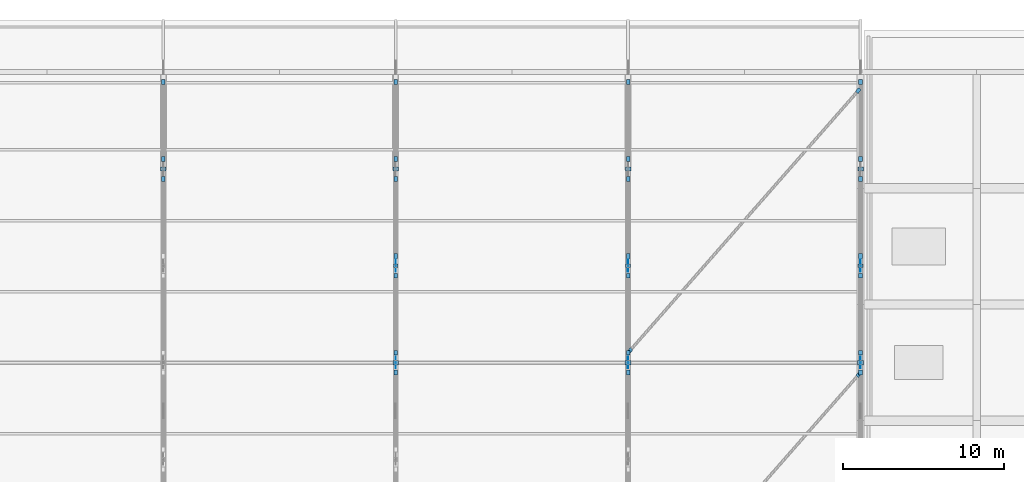
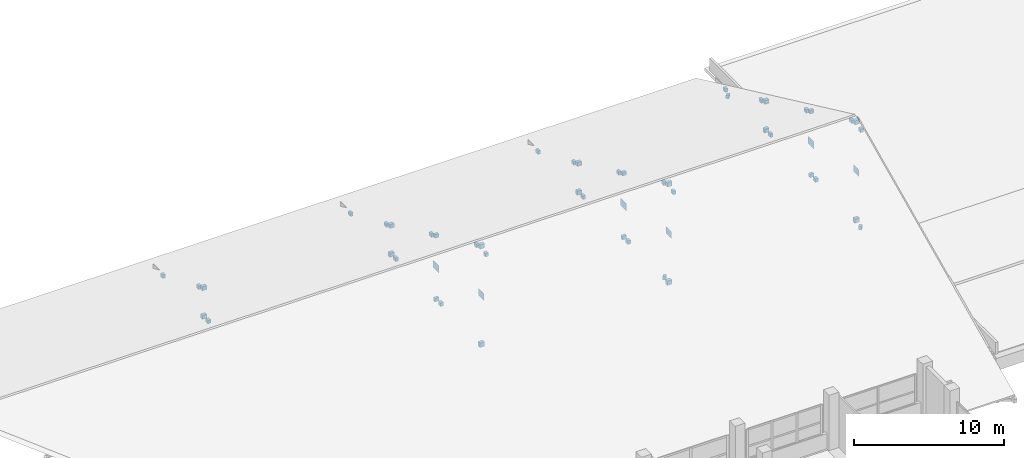
# One storey, part 125 of 141: 53 plates, 4 elements without a shape of their own.
"""IFC4 building model written with IfcOpenShell, lengths in metres."""

from ifc_helpers import new_model, si_unit, direction, frame, origin, origin_2d, place, context, subcontext, project, spatial, rectangle, extrude, material, layer, layer_set, type_object, element, aggregate, save


model = new_model("IFC4")

# Units and contexts
model_context = context("Model", 3, precision=1e-05, world=origin(), true_north=direction((0.0, 1.0)))
body_context = subcontext(model_context, "Body", "Model", "MODEL_VIEW")
ifc_project = project(units=[si_unit("LENGTHUNIT", "METRE"), si_unit("AREAUNIT", "SQUARE_METRE"), si_unit("VOLUMEUNIT", "CUBIC_METRE"), si_unit("PLANEANGLEUNIT", "RADIAN"), si_unit("MASSUNIT", "GRAM", prefix="KILO")], contexts=[model_context])

# Site, building, storey
site_placement = place(None, origin())
site = spatial("IfcSite", under=ifc_project, at=site_placement, CompositionType="ELEMENT")
building_placement = place(site_placement, origin())
building = spatial("IfcBuilding", under=site, at=building_placement, Name="Seraya Terrace Polytechnic", CompositionType="ELEMENT")
storey_placement = place(building_placement, frame((0.0, 0.0, 14.39990234375)))
storey = spatial("IfcBuildingStorey", under=building, at=storey_placement, Name="L03", CompositionType="ELEMENT", Elevation=14.39990234375)

# Assembly, plates
ifc_material = material(Name="Steel S355J2", Category="steel")
element_assembly_type = type_object("IfcElementAssemblyType", Name="TR-A1", PredefinedType="TRUSS", material=ifc_material)
assembly_1_placement = place(storey_placement, origin())
assembly_1 = element("IfcElementAssembly", 1, at=assembly_1_placement, inside=storey, type_object=element_assembly_type, Name="Pitched steel roof truss TR-06", AssemblyPlace="SITE", PredefinedType="TRUSS")
ifc_layer_1 = layer(ifc_material, 0.340087890625, Name="EP-01")
ifc_layer_set_1 = layer_set([ifc_layer_1], Name="Steel S355J2")
plate_type_1 = type_object("IfcPlateType", Name="EP-01", PredefinedType="USERDEFINED", material=ifc_layer_set_1)
plate_1_placement = place(storey_placement, frame((86.39990234375, 97.199951171875, 0.10302734375), z_axis=(0.0, 0.0, 1.0), x_axis=(1.0, 0.0, 0.0)))
plate_1 = element("IfcPlate", 2, at=plate_1_placement, type_object=plate_type_1, Name="Hollow end-cap plate TR-06-V4 start", ObjectType="FLANGE_PLATE", PredefinedType="USERDEFINED", context=body_context, shape_type="SweptSolid", body=[
    extrude(rectangle(XDim=0.360107421875, YDim=0.280029296875, at=origin_2d()), origin(), (0.0, 0.0, 1.0), 0.340087890625),
])
plate_2_placement = place(storey_placement, frame((86.39990234375, 97.199951171875, 8.08154296875), z_axis=(0.0, 0.0, 1.0), x_axis=(1.0, 0.0, 0.0)))
plate_2 = element("IfcPlate", 3, at=plate_2_placement, type_object=plate_type_1, Name="Hollow end-cap plate TR-06-V4 end", ObjectType="FLANGE_PLATE", PredefinedType="USERDEFINED", context=body_context, shape_type="SweptSolid", body=[
    extrude(rectangle(XDim=0.360107421875, YDim=0.280029296875, at=origin_2d()), origin(), (0.0, 0.0, 1.0), 0.340087890625),
])

assembly_2_placement = place(storey_placement, origin())
assembly_2 = element("IfcElementAssembly", 4, at=assembly_2_placement, inside=storey, type_object=element_assembly_type, Name="Pitched steel roof truss TR-07", AssemblyPlace="SITE", PredefinedType="TRUSS")
plate_3_placement = place(storey_placement, frame((100.800048828125, 97.199951171875, 0.10302734375), z_axis=(0.0, 0.0, 1.0), x_axis=(1.0, 0.0, 0.0)))
plate_3 = element("IfcPlate", 5, at=plate_3_placement, type_object=plate_type_1, Name="Hollow end-cap plate TR-07-V4 start", ObjectType="FLANGE_PLATE", PredefinedType="USERDEFINED", context=body_context, shape_type="SweptSolid", body=[
    extrude(rectangle(XDim=0.360107421875, YDim=0.280029296875, at=origin_2d()), origin(), (0.0, 0.0, 1.0), 0.340087890625),
])
plate_4_placement = place(storey_placement, frame((100.800048828125, 97.199951171875, 8.08154296875), z_axis=(0.0, 0.0, 1.0), x_axis=(1.0, 0.0, 0.0)))
plate_4 = element("IfcPlate", 6, at=plate_4_placement, type_object=plate_type_1, Name="Hollow end-cap plate TR-07-V4 end", ObjectType="FLANGE_PLATE", PredefinedType="USERDEFINED", context=body_context, shape_type="SweptSolid", body=[
    extrude(rectangle(XDim=0.360107421875, YDim=0.280029296875, at=origin_2d()), origin(), (0.0, 0.0, 1.0), 0.340087890625),
])

assembly_3_placement = place(storey_placement, origin())
assembly_3 = element("IfcElementAssembly", 7, at=assembly_3_placement, inside=storey, type_object=element_assembly_type, Name="Pitched steel roof truss TR-08", AssemblyPlace="SITE", PredefinedType="TRUSS")
plate_5_placement = place(storey_placement, frame((115.199951171875, 97.199951171875, 0.10302734375), z_axis=(0.0, 0.0, 1.0), x_axis=(1.0, 0.0, 0.0)))
plate_5 = element("IfcPlate", 8, at=plate_5_placement, type_object=plate_type_1, Name="Hollow end-cap plate TR-08-V4 start", ObjectType="FLANGE_PLATE", PredefinedType="USERDEFINED", context=body_context, shape_type="SweptSolid", body=[
    extrude(rectangle(XDim=0.360107421875, YDim=0.280029296875, at=origin_2d()), origin(), (0.0, 0.0, 1.0), 0.340087890625),
])
plate_6_placement = place(storey_placement, frame((115.199951171875, 97.199951171875, 8.08154296875), z_axis=(0.0, 0.0, 1.0), x_axis=(1.0, 0.0, 0.0)))
plate_6 = element("IfcPlate", 9, at=plate_6_placement, type_object=plate_type_1, Name="Hollow end-cap plate TR-08-V4 end", ObjectType="FLANGE_PLATE", PredefinedType="USERDEFINED", context=body_context, shape_type="SweptSolid", body=[
    extrude(rectangle(XDim=0.360107421875, YDim=0.280029296875, at=origin_2d()), origin(), (0.0, 0.0, 1.0), 0.340087890625),
])

assembly_4_placement = place(storey_placement, origin())
assembly_4 = element("IfcElementAssembly", 10, at=assembly_4_placement, inside=storey, type_object=element_assembly_type, Name="Pitched steel roof truss TR-05", AssemblyPlace="SITE", PredefinedType="TRUSS")
ifc_layer_2 = layer(ifc_material, 0.320068359375, Name="EP-02")
ifc_layer_set_2 = layer_set([ifc_layer_2], Name="Steel S355J2")
plate_type_2 = type_object("IfcPlateType", Name="EP-02", PredefinedType="USERDEFINED", material=ifc_layer_set_2)
plate_7_placement = place(storey_placement, frame((72.0, 109.199951171875, 0.138671875), z_axis=(0.0, 0.0, 1.0), x_axis=(1.0, 0.0, 0.0)))
plate_7 = element("IfcPlate", 11, at=plate_7_placement, type_object=plate_type_2, Name="Hollow end-cap plate TR-05-V6 start", ObjectType="FLANGE_PLATE", PredefinedType="USERDEFINED", context=body_context, shape_type="SweptSolid", body=[
    extrude(rectangle(XDim=0.340087890625, YDim=0.260009765625, at=origin_2d()), origin(), (0.0, 0.0, 1.0), 0.320068359375),
])
plate_8_placement = place(storey_placement, frame((72.0, 109.199951171875, 2.4658203125), z_axis=(0.0, 0.0, 1.0), x_axis=(1.0, 0.0, 0.0)))
plate_8 = element("IfcPlate", 12, at=plate_8_placement, type_object=plate_type_2, Name="Hollow end-cap plate TR-05-V6 end", ObjectType="FLANGE_PLATE", PredefinedType="USERDEFINED", context=body_context, shape_type="SweptSolid", body=[
    extrude(rectangle(XDim=0.340087890625, YDim=0.260009765625, at=origin_2d()), origin(), (0.0, 0.0, 1.0), 0.320068359375),
])

# Plate
plate_9_placement = place(storey_placement, frame((86.39990234375, 109.199951171875, 0.138671875), z_axis=(0.0, 0.0, 1.0), x_axis=(1.0, 0.0, 0.0)))
plate_9 = element("IfcPlate", 13, at=plate_9_placement, type_object=plate_type_2, Name="Hollow end-cap plate TR-06-V6 start", ObjectType="FLANGE_PLATE", PredefinedType="USERDEFINED", context=body_context, shape_type="SweptSolid", body=[
    extrude(rectangle(XDim=0.340087890625, YDim=0.260009765625, at=origin_2d()), origin(), (0.0, 0.0, 1.0), 0.320068359375),
])

plate_10_placement = place(storey_placement, frame((86.39990234375, 109.199951171875, 2.4658203125), z_axis=(0.0, 0.0, 1.0), x_axis=(1.0, 0.0, 0.0)))
plate_10 = element("IfcPlate", 14, at=plate_10_placement, type_object=plate_type_2, Name="Hollow end-cap plate TR-06-V6 end", ObjectType="FLANGE_PLATE", PredefinedType="USERDEFINED", context=body_context, shape_type="SweptSolid", body=[
    extrude(rectangle(XDim=0.340087890625, YDim=0.260009765625, at=origin_2d()), origin(), (0.0, 0.0, 1.0), 0.320068359375),
])

plate_11_placement = place(storey_placement, frame((100.800048828125, 109.199951171875, 0.138671875), z_axis=(0.0, 0.0, 1.0), x_axis=(1.0, 0.0, 0.0)))
plate_11 = element("IfcPlate", 15, at=plate_11_placement, type_object=plate_type_2, Name="Hollow end-cap plate TR-07-V6 start", ObjectType="FLANGE_PLATE", PredefinedType="USERDEFINED", context=body_context, shape_type="SweptSolid", body=[
    extrude(rectangle(XDim=0.340087890625, YDim=0.260009765625, at=origin_2d()), origin(), (0.0, 0.0, 1.0), 0.320068359375),
])

plate_12_placement = place(storey_placement, frame((100.800048828125, 109.199951171875, 2.4658203125), z_axis=(0.0, 0.0, 1.0), x_axis=(1.0, 0.0, 0.0)))
plate_12 = element("IfcPlate", 16, at=plate_12_placement, type_object=plate_type_2, Name="Hollow end-cap plate TR-07-V6 end", ObjectType="FLANGE_PLATE", PredefinedType="USERDEFINED", context=body_context, shape_type="SweptSolid", body=[
    extrude(rectangle(XDim=0.340087890625, YDim=0.260009765625, at=origin_2d()), origin(), (0.0, 0.0, 1.0), 0.320068359375),
])

plate_13_placement = place(storey_placement, frame((115.199951171875, 109.199951171875, 0.138671875), z_axis=(0.0, 0.0, 1.0), x_axis=(1.0, 0.0, 0.0)))
plate_13 = element("IfcPlate", 17, at=plate_13_placement, type_object=plate_type_2, Name="Hollow end-cap plate TR-08-V6 start", ObjectType="FLANGE_PLATE", PredefinedType="USERDEFINED", context=body_context, shape_type="SweptSolid", body=[
    extrude(rectangle(XDim=0.340087890625, YDim=0.260009765625, at=origin_2d()), origin(), (0.0, 0.0, 1.0), 0.320068359375),
])

plate_14_placement = place(storey_placement, frame((115.199951171875, 109.199951171875, 2.4658203125), z_axis=(0.0, 0.0, 1.0), x_axis=(1.0, 0.0, 0.0)))
plate_14 = element("IfcPlate", 18, at=plate_14_placement, type_object=plate_type_2, Name="Hollow end-cap plate TR-08-V6 end", ObjectType="FLANGE_PLATE", PredefinedType="USERDEFINED", context=body_context, shape_type="SweptSolid", body=[
    extrude(rectangle(XDim=0.340087890625, YDim=0.260009765625, at=origin_2d()), origin(), (0.0, 0.0, 1.0), 0.320068359375),
])

ifc_layer_3 = layer(ifc_material, 0.280029296875, Name="EP-03")
ifc_layer_set_3 = layer_set([ifc_layer_3], Name="Steel S355J2")
plate_type_3 = type_object("IfcPlateType", Name="EP-03", PredefinedType="USERDEFINED", material=ifc_layer_set_3)
plate_15_placement = place(storey_placement, frame((72.0, 108.585693359375, 0.1455078125), z_axis=(0.0, 0.0, 1.0), x_axis=(0.0, 1.0, 0.0)))
plate_15 = element("IfcPlate", 19, at=plate_15_placement, type_object=plate_type_3, Name="Hollow end-cap plate TR-05-D5 end", ObjectType="FLANGE_PLATE", PredefinedType="USERDEFINED", context=body_context, shape_type="SweptSolid", body=[
    extrude(rectangle(XDim=0.300048828125, YDim=0.219970703125, at=origin_2d()), origin(), (0.0, 0.0, 1.0), 0.280029296875),
])

plate_16_placement = place(storey_placement, frame((72.0, 109.8125, 2.181640625), z_axis=(0.0, 0.0, 1.0), x_axis=(0.0, 1.0, 0.0)))
plate_16 = element("IfcPlate", 20, at=plate_16_placement, type_object=plate_type_3, Name="Hollow end-cap plate TR-05-D6 start", ObjectType="FLANGE_PLATE", PredefinedType="USERDEFINED", context=body_context, shape_type="SweptSolid", body=[
    extrude(rectangle(XDim=0.300048828125, YDim=0.219970703125, at=origin_2d()), origin(), (0.0, 0.0, 1.0), 0.280029296875),
])

plate_17_placement = place(storey_placement, frame((72.0, 114.58740234375, 0.17333984375), z_axis=(0.0, 0.0, 1.0), x_axis=(0.0, 1.0, 0.0)))
plate_17 = element("IfcPlate", 21, at=plate_17_placement, type_object=plate_type_3, Name="Hollow end-cap plate TR-05-D6 end", ObjectType="FLANGE_PLATE", PredefinedType="USERDEFINED", context=body_context, shape_type="SweptSolid", body=[
    extrude(rectangle(XDim=0.300048828125, YDim=0.219970703125, at=origin_2d()), origin(), (0.0, 0.0, 1.0), 0.280029296875),
])

aggregate(assembly_4, [plate_7, plate_8, plate_15, plate_16, plate_17])

plate_18_placement = place(storey_placement, frame((86.39990234375, 103.199951171875, 0.13330078125), z_axis=(0.0, 0.0, 1.0), x_axis=(1.0, 0.0, 0.0)))
plate_18 = element("IfcPlate", 22, at=plate_18_placement, type_object=plate_type_3, Name="Hollow end-cap plate TR-06-V5 start", ObjectType="FLANGE_PLATE", PredefinedType="USERDEFINED", context=body_context, shape_type="SweptSolid", body=[
    extrude(rectangle(XDim=0.300048828125, YDim=0.219970703125, at=origin_2d()), origin(), (0.0, 0.0, 1.0), 0.280029296875),
])

plate_19_placement = place(storey_placement, frame((86.39990234375, 103.199951171875, 5.3115234375), z_axis=(0.0, 0.0, 1.0), x_axis=(1.0, 0.0, 0.0)))
plate_19 = element("IfcPlate", 23, at=plate_19_placement, type_object=plate_type_3, Name="Hollow end-cap plate TR-06-V5 end", ObjectType="FLANGE_PLATE", PredefinedType="USERDEFINED", context=body_context, shape_type="SweptSolid", body=[
    extrude(rectangle(XDim=0.300048828125, YDim=0.219970703125, at=origin_2d()), origin(), (0.0, 0.0, 1.0), 0.280029296875),
])

plate_20_placement = place(storey_placement, frame((86.39990234375, 96.584228515625, 7.81103515625), z_axis=(0.0, 0.0, 1.0), x_axis=(0.0, 1.0, 0.0)))
plate_20 = element("IfcPlate", 24, at=plate_20_placement, type_object=plate_type_3, Name="Hollow end-cap plate TR-06-D3 end", ObjectType="FLANGE_PLATE", PredefinedType="USERDEFINED", context=body_context, shape_type="SweptSolid", body=[
    extrude(rectangle(XDim=0.300048828125, YDim=0.219970703125, at=origin_2d()), origin(), (0.0, 0.0, 1.0), 0.280029296875),
])

plate_21_placement = place(storey_placement, frame((86.39990234375, 97.81591796875, 7.81103515625), z_axis=(0.0, 0.0, 1.0), x_axis=(0.0, 1.0, 0.0)))
plate_21 = element("IfcPlate", 25, at=plate_21_placement, type_object=plate_type_3, Name="Hollow end-cap plate TR-06-D4 start", ObjectType="FLANGE_PLATE", PredefinedType="USERDEFINED", context=body_context, shape_type="SweptSolid", body=[
    extrude(rectangle(XDim=0.300048828125, YDim=0.219970703125, at=origin_2d()), origin(), (0.0, 0.0, 1.0), 0.280029296875),
])

plate_22_placement = place(storey_placement, frame((86.39990234375, 102.584228515625, 0.14404296875), z_axis=(0.0, 0.0, 1.0), x_axis=(0.0, 1.0, 0.0)))
plate_22 = element("IfcPlate", 26, at=plate_22_placement, type_object=plate_type_3, Name="Hollow end-cap plate TR-06-D4 end", ObjectType="FLANGE_PLATE", PredefinedType="USERDEFINED", context=body_context, shape_type="SweptSolid", body=[
    extrude(rectangle(XDim=0.300048828125, YDim=0.219970703125, at=origin_2d()), origin(), (0.0, 0.0, 1.0), 0.280029296875),
])

plate_23_placement = place(storey_placement, frame((86.39990234375, 103.814453125, 5.009765625), z_axis=(0.0, 0.0, 1.0), x_axis=(0.0, 1.0, 0.0)))
plate_23 = element("IfcPlate", 27, at=plate_23_placement, type_object=plate_type_3, Name="Hollow end-cap plate TR-06-D5 start", ObjectType="FLANGE_PLATE", PredefinedType="USERDEFINED", context=body_context, shape_type="SweptSolid", body=[
    extrude(rectangle(XDim=0.300048828125, YDim=0.219970703125, at=origin_2d()), origin(), (0.0, 0.0, 1.0), 0.280029296875),
])

plate_24_placement = place(storey_placement, frame((86.39990234375, 108.585693359375, 0.1455078125), z_axis=(0.0, 0.0, 1.0), x_axis=(0.0, 1.0, 0.0)))
plate_24 = element("IfcPlate", 28, at=plate_24_placement, type_object=plate_type_3, Name="Hollow end-cap plate TR-06-D5 end", ObjectType="FLANGE_PLATE", PredefinedType="USERDEFINED", context=body_context, shape_type="SweptSolid", body=[
    extrude(rectangle(XDim=0.300048828125, YDim=0.219970703125, at=origin_2d()), origin(), (0.0, 0.0, 1.0), 0.280029296875),
])

plate_25_placement = place(storey_placement, frame((86.39990234375, 109.8125, 2.181640625), z_axis=(0.0, 0.0, 1.0), x_axis=(0.0, 1.0, 0.0)))
plate_25 = element("IfcPlate", 29, at=plate_25_placement, type_object=plate_type_3, Name="Hollow end-cap plate TR-06-D6 start", ObjectType="FLANGE_PLATE", PredefinedType="USERDEFINED", context=body_context, shape_type="SweptSolid", body=[
    extrude(rectangle(XDim=0.300048828125, YDim=0.219970703125, at=origin_2d()), origin(), (0.0, 0.0, 1.0), 0.280029296875),
])

plate_26_placement = place(storey_placement, frame((86.39990234375, 114.58740234375, 0.17333984375), z_axis=(0.0, 0.0, 1.0), x_axis=(0.0, 1.0, 0.0)))
plate_26 = element("IfcPlate", 30, at=plate_26_placement, type_object=plate_type_3, Name="Hollow end-cap plate TR-06-D6 end", ObjectType="FLANGE_PLATE", PredefinedType="USERDEFINED", context=body_context, shape_type="SweptSolid", body=[
    extrude(rectangle(XDim=0.300048828125, YDim=0.219970703125, at=origin_2d()), origin(), (0.0, 0.0, 1.0), 0.280029296875),
])

plate_27_placement = place(storey_placement, frame((100.800048828125, 103.199951171875, 0.13330078125), z_axis=(0.0, 0.0, 1.0), x_axis=(1.0, 0.0, 0.0)))
plate_27 = element("IfcPlate", 31, at=plate_27_placement, type_object=plate_type_3, Name="Hollow end-cap plate TR-07-V5 start", ObjectType="FLANGE_PLATE", PredefinedType="USERDEFINED", context=body_context, shape_type="SweptSolid", body=[
    extrude(rectangle(XDim=0.300048828125, YDim=0.219970703125, at=origin_2d()), origin(), (0.0, 0.0, 1.0), 0.280029296875),
])

plate_28_placement = place(storey_placement, frame((100.800048828125, 103.199951171875, 5.3115234375), z_axis=(0.0, 0.0, 1.0), x_axis=(1.0, 0.0, 0.0)))
plate_28 = element("IfcPlate", 32, at=plate_28_placement, type_object=plate_type_3, Name="Hollow end-cap plate TR-07-V5 end", ObjectType="FLANGE_PLATE", PredefinedType="USERDEFINED", context=body_context, shape_type="SweptSolid", body=[
    extrude(rectangle(XDim=0.300048828125, YDim=0.219970703125, at=origin_2d()), origin(), (0.0, 0.0, 1.0), 0.280029296875),
])

plate_29_placement = place(storey_placement, frame((100.800048828125, 96.584228515625, 7.81103515625), z_axis=(0.0, 0.0, 1.0), x_axis=(0.0, 1.0, 0.0)))
plate_29 = element("IfcPlate", 33, at=plate_29_placement, type_object=plate_type_3, Name="Hollow end-cap plate TR-07-D3 end", ObjectType="FLANGE_PLATE", PredefinedType="USERDEFINED", context=body_context, shape_type="SweptSolid", body=[
    extrude(rectangle(XDim=0.300048828125, YDim=0.219970703125, at=origin_2d()), origin(), (0.0, 0.0, 1.0), 0.280029296875),
])

plate_30_placement = place(storey_placement, frame((100.800048828125, 97.81591796875, 7.81103515625), z_axis=(0.0, 0.0, 1.0), x_axis=(0.0, 1.0, 0.0)))
plate_30 = element("IfcPlate", 34, at=plate_30_placement, type_object=plate_type_3, Name="Hollow end-cap plate TR-07-D4 start", ObjectType="FLANGE_PLATE", PredefinedType="USERDEFINED", context=body_context, shape_type="SweptSolid", body=[
    extrude(rectangle(XDim=0.300048828125, YDim=0.219970703125, at=origin_2d()), origin(), (0.0, 0.0, 1.0), 0.280029296875),
])

plate_31_placement = place(storey_placement, frame((100.800048828125, 102.584228515625, 0.14404296875), z_axis=(0.0, 0.0, 1.0), x_axis=(0.0, 1.0, 0.0)))
plate_31 = element("IfcPlate", 35, at=plate_31_placement, type_object=plate_type_3, Name="Hollow end-cap plate TR-07-D4 end", ObjectType="FLANGE_PLATE", PredefinedType="USERDEFINED", context=body_context, shape_type="SweptSolid", body=[
    extrude(rectangle(XDim=0.300048828125, YDim=0.219970703125, at=origin_2d()), origin(), (0.0, 0.0, 1.0), 0.280029296875),
])

plate_32_placement = place(storey_placement, frame((100.800048828125, 103.814453125, 5.009765625), z_axis=(0.0, 0.0, 1.0), x_axis=(0.0, 1.0, 0.0)))
plate_32 = element("IfcPlate", 36, at=plate_32_placement, type_object=plate_type_3, Name="Hollow end-cap plate TR-07-D5 start", ObjectType="FLANGE_PLATE", PredefinedType="USERDEFINED", context=body_context, shape_type="SweptSolid", body=[
    extrude(rectangle(XDim=0.300048828125, YDim=0.219970703125, at=origin_2d()), origin(), (0.0, 0.0, 1.0), 0.280029296875),
])

plate_33_placement = place(storey_placement, frame((100.800048828125, 108.585693359375, 0.1455078125), z_axis=(0.0, 0.0, 1.0), x_axis=(0.0, 1.0, 0.0)))
plate_33 = element("IfcPlate", 37, at=plate_33_placement, type_object=plate_type_3, Name="Hollow end-cap plate TR-07-D5 end", ObjectType="FLANGE_PLATE", PredefinedType="USERDEFINED", context=body_context, shape_type="SweptSolid", body=[
    extrude(rectangle(XDim=0.300048828125, YDim=0.219970703125, at=origin_2d()), origin(), (0.0, 0.0, 1.0), 0.280029296875),
])

plate_34_placement = place(storey_placement, frame((100.800048828125, 109.8125, 2.181640625), z_axis=(0.0, 0.0, 1.0), x_axis=(0.0, 1.0, 0.0)))
plate_34 = element("IfcPlate", 38, at=plate_34_placement, type_object=plate_type_3, Name="Hollow end-cap plate TR-07-D6 start", ObjectType="FLANGE_PLATE", PredefinedType="USERDEFINED", context=body_context, shape_type="SweptSolid", body=[
    extrude(rectangle(XDim=0.300048828125, YDim=0.219970703125, at=origin_2d()), origin(), (0.0, 0.0, 1.0), 0.280029296875),
])

plate_35_placement = place(storey_placement, frame((100.800048828125, 114.58740234375, 0.17333984375), z_axis=(0.0, 0.0, 1.0), x_axis=(0.0, 1.0, 0.0)))
plate_35 = element("IfcPlate", 39, at=plate_35_placement, type_object=plate_type_3, Name="Hollow end-cap plate TR-07-D6 end", ObjectType="FLANGE_PLATE", PredefinedType="USERDEFINED", context=body_context, shape_type="SweptSolid", body=[
    extrude(rectangle(XDim=0.300048828125, YDim=0.219970703125, at=origin_2d()), origin(), (0.0, 0.0, 1.0), 0.280029296875),
])

plate_36_placement = place(storey_placement, frame((115.199951171875, 103.199951171875, 0.13330078125), z_axis=(0.0, 0.0, 1.0), x_axis=(1.0, 0.0, 0.0)))
plate_36 = element("IfcPlate", 40, at=plate_36_placement, type_object=plate_type_3, Name="Hollow end-cap plate TR-08-V5 start", ObjectType="FLANGE_PLATE", PredefinedType="USERDEFINED", context=body_context, shape_type="SweptSolid", body=[
    extrude(rectangle(XDim=0.300048828125, YDim=0.219970703125, at=origin_2d()), origin(), (0.0, 0.0, 1.0), 0.280029296875),
])

plate_37_placement = place(storey_placement, frame((115.199951171875, 103.199951171875, 5.3115234375), z_axis=(0.0, 0.0, 1.0), x_axis=(1.0, 0.0, 0.0)))
plate_37 = element("IfcPlate", 41, at=plate_37_placement, type_object=plate_type_3, Name="Hollow end-cap plate TR-08-V5 end", ObjectType="FLANGE_PLATE", PredefinedType="USERDEFINED", context=body_context, shape_type="SweptSolid", body=[
    extrude(rectangle(XDim=0.300048828125, YDim=0.219970703125, at=origin_2d()), origin(), (0.0, 0.0, 1.0), 0.280029296875),
])

plate_38_placement = place(storey_placement, frame((115.199951171875, 96.584228515625, 7.81103515625), z_axis=(0.0, 0.0, 1.0), x_axis=(0.0, 1.0, 0.0)))
plate_38 = element("IfcPlate", 42, at=plate_38_placement, type_object=plate_type_3, Name="Hollow end-cap plate TR-08-D3 end", ObjectType="FLANGE_PLATE", PredefinedType="USERDEFINED", context=body_context, shape_type="SweptSolid", body=[
    extrude(rectangle(XDim=0.300048828125, YDim=0.219970703125, at=origin_2d()), origin(), (0.0, 0.0, 1.0), 0.280029296875),
])

plate_39_placement = place(storey_placement, frame((115.199951171875, 97.81591796875, 7.81103515625), z_axis=(0.0, 0.0, 1.0), x_axis=(0.0, 1.0, 0.0)))
plate_39 = element("IfcPlate", 43, at=plate_39_placement, type_object=plate_type_3, Name="Hollow end-cap plate TR-08-D4 start", ObjectType="FLANGE_PLATE", PredefinedType="USERDEFINED", context=body_context, shape_type="SweptSolid", body=[
    extrude(rectangle(XDim=0.300048828125, YDim=0.219970703125, at=origin_2d()), origin(), (0.0, 0.0, 1.0), 0.280029296875),
])

plate_40_placement = place(storey_placement, frame((115.199951171875, 102.584228515625, 0.14404296875), z_axis=(0.0, 0.0, 1.0), x_axis=(0.0, 1.0, 0.0)))
plate_40 = element("IfcPlate", 44, at=plate_40_placement, type_object=plate_type_3, Name="Hollow end-cap plate TR-08-D4 end", ObjectType="FLANGE_PLATE", PredefinedType="USERDEFINED", context=body_context, shape_type="SweptSolid", body=[
    extrude(rectangle(XDim=0.300048828125, YDim=0.219970703125, at=origin_2d()), origin(), (0.0, 0.0, 1.0), 0.280029296875),
])

plate_41_placement = place(storey_placement, frame((115.199951171875, 103.814453125, 5.009765625), z_axis=(0.0, 0.0, 1.0), x_axis=(0.0, 1.0, 0.0)))
plate_41 = element("IfcPlate", 45, at=plate_41_placement, type_object=plate_type_3, Name="Hollow end-cap plate TR-08-D5 start", ObjectType="FLANGE_PLATE", PredefinedType="USERDEFINED", context=body_context, shape_type="SweptSolid", body=[
    extrude(rectangle(XDim=0.300048828125, YDim=0.219970703125, at=origin_2d()), origin(), (0.0, 0.0, 1.0), 0.280029296875),
])

plate_42_placement = place(storey_placement, frame((115.199951171875, 108.585693359375, 0.1455078125), z_axis=(0.0, 0.0, 1.0), x_axis=(0.0, 1.0, 0.0)))
plate_42 = element("IfcPlate", 46, at=plate_42_placement, type_object=plate_type_3, Name="Hollow end-cap plate TR-08-D5 end", ObjectType="FLANGE_PLATE", PredefinedType="USERDEFINED", context=body_context, shape_type="SweptSolid", body=[
    extrude(rectangle(XDim=0.300048828125, YDim=0.219970703125, at=origin_2d()), origin(), (0.0, 0.0, 1.0), 0.280029296875),
])

plate_43_placement = place(storey_placement, frame((115.199951171875, 109.8125, 2.181640625), z_axis=(0.0, 0.0, 1.0), x_axis=(0.0, 1.0, 0.0)))
plate_43 = element("IfcPlate", 47, at=plate_43_placement, type_object=plate_type_3, Name="Hollow end-cap plate TR-08-D6 start", ObjectType="FLANGE_PLATE", PredefinedType="USERDEFINED", context=body_context, shape_type="SweptSolid", body=[
    extrude(rectangle(XDim=0.300048828125, YDim=0.219970703125, at=origin_2d()), origin(), (0.0, 0.0, 1.0), 0.280029296875),
])

plate_44_placement = place(storey_placement, frame((115.199951171875, 114.58740234375, 0.17333984375), z_axis=(0.0, 0.0, 1.0), x_axis=(0.0, 1.0, 0.0)))
plate_44 = element("IfcPlate", 48, at=plate_44_placement, type_object=plate_type_3, Name="Hollow end-cap plate TR-08-D6 end", ObjectType="FLANGE_PLATE", PredefinedType="USERDEFINED", context=body_context, shape_type="SweptSolid", body=[
    extrude(rectangle(XDim=0.300048828125, YDim=0.219970703125, at=origin_2d()), origin(), (0.0, 0.0, 1.0), 0.280029296875),
])

# Plates
for number, where, z_axis, x_axis, name in (
    (49, (115.08740234375, 96.4560546875, 0.01025390625), (0.0, 0.0, 1.0), (0.659870537582, 0.751379314082, 0.0), "Hollow end-cap plate RBR-B7-S1 end"),
    (50, (100.91259765625, 97.944091796875, 0.01025390625), (0.0, 0.0, 1.0), (0.659870537582, 0.751379314082, 0.0), "Hollow end-cap plate RBR-B7-N1 start"),
    (51, (115.063232421875, 114.055908203125, 0.01025390625), (0.0, 0.0, 1.0), (0.659870537582, 0.751379314082, 0.0), "Hollow end-cap plate RBR-B7-N1 end"),
):
    element("IfcPlate", number, at=place(storey_placement, frame(where, z_axis=z_axis, x_axis=x_axis)), inside=storey, type_object=plate_type_3, Name=name, ObjectType="FLANGE_PLATE", PredefinedType="USERDEFINED", context=body_context, shape_type="SweptSolid", body=[
        extrude(rectangle(XDim=0.300048828125, YDim=0.219970703125, at=origin_2d()), origin(), (0.0, 0.0, 1.0), 0.280029296875),
    ])

# Plate
ifc_layer_4 = layer(ifc_material, 0.02392578125, Name="TN-04")
ifc_layer_set_4 = layer_set([ifc_layer_4], Name="Steel S355J2")
plate_type_4 = type_object("IfcPlateType", Name="TN-04", PredefinedType="USERDEFINED", material=ifc_layer_set_4)
plate_45_placement = place(storey_placement, frame((86.39990234375, 97.199951171875, 4.005126953125), z_axis=(0.0, 0.0, 1.0), x_axis=(0.0, 1.0, 0.0)))
plate_45 = element("IfcPlate", 52, at=plate_45_placement, type_object=plate_type_4, Name="TR-06 bolted node gusset plate TN-04", ObjectType="GUSSET_PLATE", PredefinedType="USERDEFINED", context=body_context, shape_type="SweptSolid", body=[
    extrude(rectangle(XDim=0.719970703125, YDim=0.02392578125, at=origin_2d()), origin(), (0.0, 0.0, 1.0), 0.5400390625),
])

plate_46_placement = place(storey_placement, frame((100.800048828125, 97.199951171875, 4.005126953125), z_axis=(0.0, 0.0, 1.0), x_axis=(0.0, 1.0, 0.0)))
plate_46 = element("IfcPlate", 53, at=plate_46_placement, type_object=plate_type_4, Name="TR-07 bolted node gusset plate TN-04", ObjectType="GUSSET_PLATE", PredefinedType="USERDEFINED", context=body_context, shape_type="SweptSolid", body=[
    extrude(rectangle(XDim=0.719970703125, YDim=0.02392578125, at=origin_2d()), origin(), (0.0, 0.0, 1.0), 0.5400390625),
])

plate_47_placement = place(storey_placement, frame((115.199951171875, 97.199951171875, 4.005126953125), z_axis=(0.0, 0.0, 1.0), x_axis=(0.0, 1.0, 0.0)))
plate_47 = element("IfcPlate", 54, at=plate_47_placement, type_object=plate_type_4, Name="TR-08 bolted node gusset plate TN-04", ObjectType="GUSSET_PLATE", PredefinedType="USERDEFINED", context=body_context, shape_type="SweptSolid", body=[
    extrude(rectangle(XDim=0.719970703125, YDim=0.02392578125, at=origin_2d()), origin(), (0.0, 0.0, 1.0), 0.5400390625),
])

ifc_layer_5 = layer(ifc_material, 0.02587890625, Name="TN-05")
ifc_layer_set_5 = layer_set([ifc_layer_5], Name="Steel S355J2")
plate_type_5 = type_object("IfcPlateType", Name="TN-05", PredefinedType="USERDEFINED", material=ifc_layer_set_5)
plate_48_placement = place(storey_placement, frame((86.39990234375, 103.199951171875, 2.58984375), z_axis=(0.0, 0.0, 1.0), x_axis=(0.0, 1.0, 0.0)))
plate_48 = element("IfcPlate", 55, at=plate_48_placement, type_object=plate_type_5, Name="TR-06 bolted node gusset plate TN-05", ObjectType="GUSSET_PLATE", PredefinedType="USERDEFINED", context=body_context, shape_type="SweptSolid", body=[
    extrude(rectangle(XDim=0.760009765625, YDim=0.02587890625, at=origin_2d()), origin(), (0.0, 0.0, 1.0), 0.570068359375),
])

aggregate(assembly_1, [plate_1, plate_2, plate_45, plate_18, plate_19, plate_48, plate_9, plate_10, plate_20, plate_21, plate_22, plate_23, plate_24, plate_25, plate_26])

plate_49_placement = place(storey_placement, frame((100.800048828125, 103.199951171875, 2.58984375), z_axis=(0.0, 0.0, 1.0), x_axis=(0.0, 1.0, 0.0)))
plate_49 = element("IfcPlate", 56, at=plate_49_placement, type_object=plate_type_5, Name="TR-07 bolted node gusset plate TN-05", ObjectType="GUSSET_PLATE", PredefinedType="USERDEFINED", context=body_context, shape_type="SweptSolid", body=[
    extrude(rectangle(XDim=0.760009765625, YDim=0.02587890625, at=origin_2d()), origin(), (0.0, 0.0, 1.0), 0.570068359375),
])

aggregate(assembly_2, [plate_3, plate_4, plate_46, plate_27, plate_28, plate_49, plate_11, plate_12, plate_29, plate_30, plate_31, plate_32, plate_33, plate_34, plate_35])

plate_50_placement = place(storey_placement, frame((115.199951171875, 103.199951171875, 2.58984375), z_axis=(0.0, 0.0, 1.0), x_axis=(0.0, 1.0, 0.0)))
plate_50 = element("IfcPlate", 57, at=plate_50_placement, type_object=plate_type_5, Name="TR-08 bolted node gusset plate TN-05", ObjectType="GUSSET_PLATE", PredefinedType="USERDEFINED", context=body_context, shape_type="SweptSolid", body=[
    extrude(rectangle(XDim=0.760009765625, YDim=0.02587890625, at=origin_2d()), origin(), (0.0, 0.0, 1.0), 0.570068359375),
])

aggregate(assembly_3, [plate_5, plate_6, plate_47, plate_36, plate_37, plate_50, plate_13, plate_14, plate_38, plate_39, plate_40, plate_41, plate_42, plate_43, plate_44])

save(model, "model.ifc")
